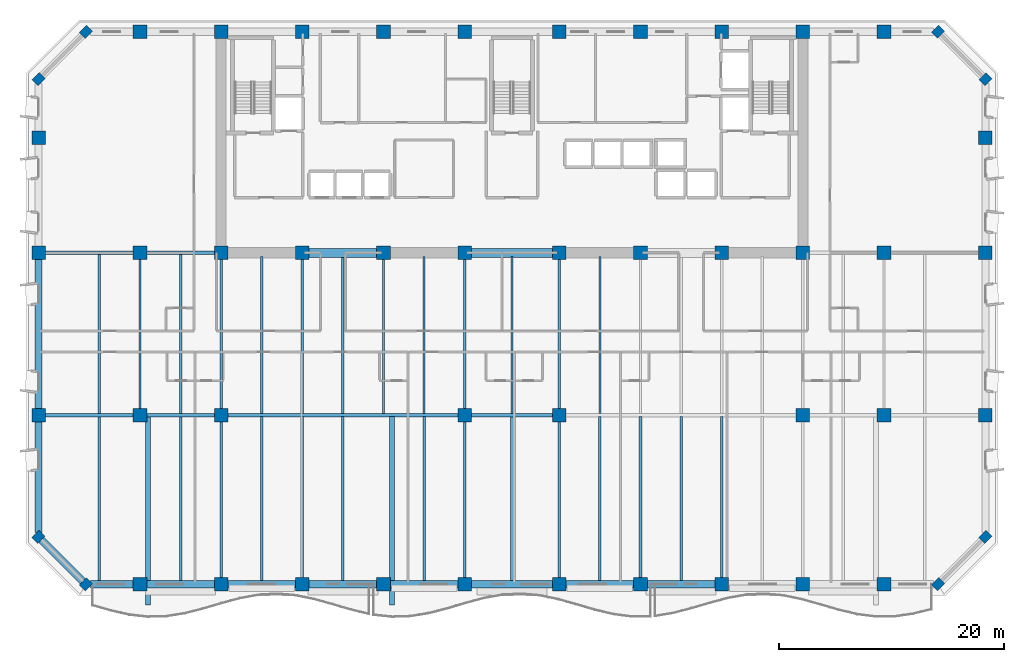
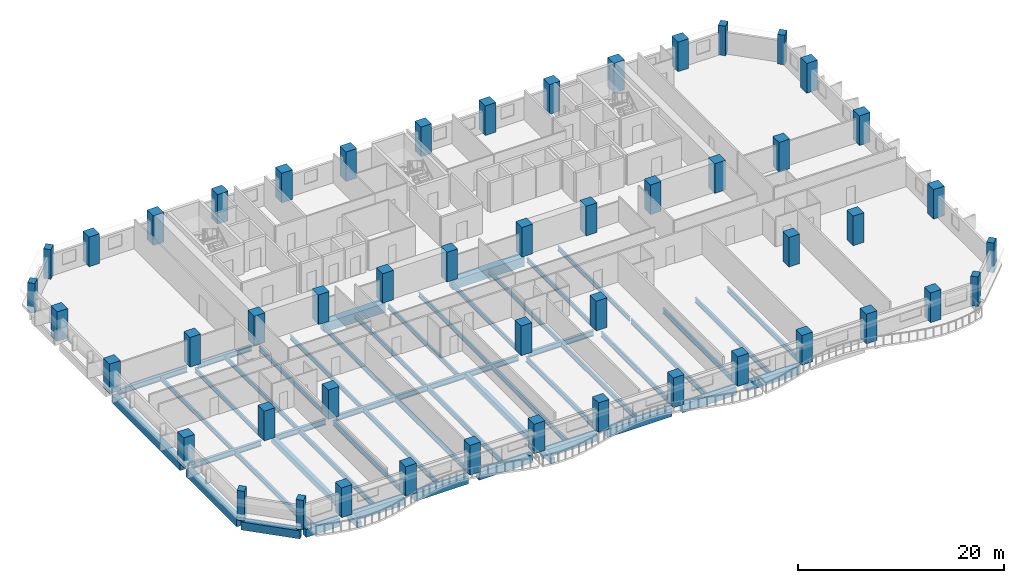
# One storey, part 1 of 14: 50 columns, 48 beams.
"""IFC4 building model written with IfcOpenShell, lengths in metres."""

from ifc_helpers import new_model, si_unit, direction, frame, origin, origin_2d, place, context, subcontext, project, spatial, rectangle, i_section, extrude, material, material_profile, profile_set, type_object, element, save


model = new_model("IFC4")

# Units and contexts
model_context = context("Model", 3, precision=1e-05, world=origin(), true_north=direction((0.0, 1.0)))
body_context = subcontext(model_context, "Body", "Model", "MODEL_VIEW")
ifc_project = project(units=[si_unit("LENGTHUNIT", "METRE"), si_unit("AREAUNIT", "SQUARE_METRE"), si_unit("VOLUMEUNIT", "CUBIC_METRE"), si_unit("PLANEANGLEUNIT", "RADIAN"), si_unit("MASSUNIT", "GRAM", prefix="KILO")], contexts=[model_context])

# Site, building, storey
site_placement = place(None, origin())
site = spatial("IfcSite", under=ifc_project, at=site_placement, CompositionType="ELEMENT")
building_placement = place(site_placement, origin())
building = spatial("IfcBuilding", under=site, at=building_placement, Name="Kaelvorn Grand Hotel", CompositionType="ELEMENT")
storey_placement = place(building_placement, frame((0.0, 0.0, 93.050048828125)))
storey = spatial("IfcBuildingStorey", under=building, at=storey_placement, Name="L21", CompositionType="ELEMENT", Elevation=93.050048828125)

# Columns
ifc_material_1 = material(Name="Concrete C60/75", Category="concrete")
ifc_material_profile_1 = material_profile(ifc_material_1, rectangle(XDim=0.89990234375, YDim=0.75, at=origin_2d()), Name="RC PILASTER 900x750")
ifc_profile_set_1 = profile_set([ifc_material_profile_1], Name="Concrete C60/75")
column_type_1 = type_object("IfcColumnType", Name="COL-PIL-900x750-C60", PredefinedType="PILASTER", material=ifc_profile_set_1)
for number, where, z_axis, x_axis, name in (
    (1, (4.199951171875, 0.0, 0.0), (0.0, 0.0, 1.0), (0.707106781187, 0.707106781187, 0.0), "L21 Structural Column CH-01"),
    (2, (79.800048828125, 0.0, 0.0), (0.0, 0.0, 1.0), (0.707106781187, 0.707106781187, 0.0), "L21 Structural Column CH-02"),
    (3, (84.0, 4.199951171875, 0.0), (0.0, 0.0, 1.0), (0.707106781187, 0.707106781187, 0.0), "L21 Structural Column CH-03"),
    (4, (84.0, 44.800048828125, 0.0), (0.0, 0.0, 1.0), (0.707106781187, 0.707106781187, 0.0), "L21 Structural Column CH-04"),
    (5, (79.800048828125, 49.0, 0.0), (0.0, 0.0, 1.0), (0.707106781187, 0.707106781187, 0.0), "L21 Structural Column CH-05"),
    (6, (4.199951171875, 49.0, 0.0), (0.0, 0.0, 1.0), (0.707106781187, 0.707106781187, 0.0), "L21 Structural Column CH-06"),
    (7, (0.0, 44.800048828125, 0.0), (0.0, 0.0, 1.0), (0.707106781187, 0.707106781187, 0.0), "L21 Structural Column CH-07"),
    (8, (0.0, 4.199951171875, 0.0), (0.0, 0.0, 1.0), (0.707106781187, 0.707106781187, 0.0), "L21 Structural Column CH-08"),
):
    element("IfcColumn", number, at=place(storey_placement, frame(where, z_axis=z_axis, x_axis=x_axis)), inside=storey, type_object=column_type_1, Name=name, PredefinedType="PILASTER", context=body_context, shape_type="SweptSolid", body=[
        extrude(rectangle(XDim=0.89990234375, YDim=0.75, at=origin_2d()), origin(), (0.0, 0.0, 1.0), 3.510009765625),
    ])
ifc_material_profile_2 = material_profile(ifc_material_1, rectangle(XDim=1.199951171875, YDim=1.199951171875, at=origin_2d()), Name="RC COL 1200x1200")
ifc_profile_set_2 = profile_set([ifc_material_profile_2], Name="Concrete C60/75")
column_type_2 = type_object("IfcColumnType", Name="COL-RC-1200-C60", PredefinedType="COLUMN", material=ifc_profile_set_2)
for number, where, z_axis, x_axis, name in (
    (9, (9.0, 0.0, 0.0), (0.0, 0.0, 1.0), (1.0, 0.0, 0.0), "L21 Structural Column S-01"),
    (10, (16.199951171875, 0.0, 0.0), (0.0, 0.0, 1.0), (1.0, 0.0, 0.0), "L21 Structural Column S-02"),
    (11, (23.39990234375, 0.0, 0.0), (0.0, 0.0, 1.0), (1.0, 0.0, 0.0), "L21 Structural Column S-03"),
    (12, (30.60009765625, 0.0, 0.0), (0.0, 0.0, 1.0), (1.0, 0.0, 0.0), "L21 Structural Column S-04"),
    (13, (37.800048828125, 0.0, 0.0), (0.0, 0.0, 1.0), (1.0, 0.0, 0.0), "L21 Structural Column S-05"),
    (14, (46.199951171875, 0.0, 0.0), (0.0, 0.0, 1.0), (1.0, 0.0, 0.0), "L21 Structural Column S-06"),
    (15, (53.39990234375, 0.0, 0.0), (0.0, 0.0, 1.0), (1.0, 0.0, 0.0), "L21 Structural Column S-07"),
    (16, (60.60009765625, 0.0, 0.0), (0.0, 0.0, 1.0), (1.0, 0.0, 0.0), "L21 Structural Column S-08"),
    (17, (67.800048828125, 0.0, 0.0), (0.0, 0.0, 1.0), (1.0, 0.0, 0.0), "L21 Structural Column S-09"),
    (18, (75.0, 0.0, 0.0), (0.0, 0.0, 1.0), (1.0, 0.0, 0.0), "L21 Structural Column S-10"),
    (19, (0.0, 15.0, 0.0), (0.0, 0.0, 1.0), (1.0, 0.0, 0.0), "L21 Structural Column W-01"),
    (20, (84.0, 15.0, 0.0), (0.0, 0.0, 1.0), (1.0, 0.0, 0.0), "L21 Structural Column E-01"),
    (21, (0.0, 29.39990234375, 0.0), (0.0, 0.0, 1.0), (1.0, 0.0, 0.0), "L21 Structural Column W-02"),
    (22, (84.0, 29.39990234375, 0.0), (0.0, 0.0, 1.0), (1.0, 0.0, 0.0), "L21 Structural Column E-02"),
    (23, (0.0, 39.60009765625, 0.0), (0.0, 0.0, 1.0), (1.0, 0.0, 0.0), "L21 Structural Column W-03"),
    (24, (84.0, 39.60009765625, 0.0), (0.0, 0.0, 1.0), (1.0, 0.0, 0.0), "L21 Structural Column E-03"),
    (25, (9.0, 15.0, 0.0), (0.0, 0.0, 1.0), (1.0, 0.0, 0.0), "L21 Structural Column M-01"),
    (26, (16.199951171875, 15.0, 0.0), (0.0, 0.0, 1.0), (1.0, 0.0, 0.0), "L21 Structural Column M-02"),
    (27, (37.800048828125, 15.0, 0.0), (0.0, 0.0, 1.0), (1.0, 0.0, 0.0), "L21 Structural Column M-03"),
    (28, (46.199951171875, 15.0, 0.0), (0.0, 0.0, 1.0), (1.0, 0.0, 0.0), "L21 Structural Column M-04"),
    (29, (67.800048828125, 15.0, 0.0), (0.0, 0.0, 1.0), (1.0, 0.0, 0.0), "L21 Structural Column M-05"),
    (30, (75.0, 15.0, 0.0), (0.0, 0.0, 1.0), (1.0, 0.0, 0.0), "L21 Structural Column M-06"),
    (31, (9.0, 29.39990234375, 0.0), (0.0, 0.0, 1.0), (1.0, 0.0, 0.0), "L21 Structural Column CR1-01"),
    (32, (9.0, 49.0, 0.0), (0.0, 0.0, 1.0), (1.0, 0.0, 0.0), "L21 Structural Column CR2-01"),
    (33, (16.199951171875, 29.39990234375, 0.0), (0.0, 0.0, 1.0), (1.0, 0.0, 0.0), "L21 Structural Column CR1-02"),
    (34, (16.199951171875, 49.0, 0.0), (0.0, 0.0, 1.0), (1.0, 0.0, 0.0), "L21 Structural Column CR2-02"),
    (35, (23.39990234375, 29.39990234375, 0.0), (0.0, 0.0, 1.0), (1.0, 0.0, 0.0), "L21 Structural Column CR1-03"),
    (36, (23.39990234375, 49.0, 0.0), (0.0, 0.0, 1.0), (1.0, 0.0, 0.0), "L21 Structural Column CR2-03"),
    (37, (30.60009765625, 29.39990234375, 0.0), (0.0, 0.0, 1.0), (1.0, 0.0, 0.0), "L21 Structural Column CR1-04"),
    (38, (30.60009765625, 49.0, 0.0), (0.0, 0.0, 1.0), (1.0, 0.0, 0.0), "L21 Structural Column CR2-04"),
    (39, (37.800048828125, 29.39990234375, 0.0), (0.0, 0.0, 1.0), (1.0, 0.0, 0.0), "L21 Structural Column CR1-05"),
    (40, (37.800048828125, 49.0, 0.0), (0.0, 0.0, 1.0), (1.0, 0.0, 0.0), "L21 Structural Column CR2-05"),
    (41, (46.199951171875, 29.39990234375, 0.0), (0.0, 0.0, 1.0), (1.0, 0.0, 0.0), "L21 Structural Column CR1-06"),
    (42, (46.199951171875, 49.0, 0.0), (0.0, 0.0, 1.0), (1.0, 0.0, 0.0), "L21 Structural Column CR2-06"),
    (43, (53.39990234375, 29.39990234375, 0.0), (0.0, 0.0, 1.0), (1.0, 0.0, 0.0), "L21 Structural Column CR1-07"),
    (44, (53.39990234375, 49.0, 0.0), (0.0, 0.0, 1.0), (1.0, 0.0, 0.0), "L21 Structural Column CR2-07"),
    (45, (60.60009765625, 29.39990234375, 0.0), (0.0, 0.0, 1.0), (1.0, 0.0, 0.0), "L21 Structural Column CR1-08"),
    (46, (60.60009765625, 49.0, 0.0), (0.0, 0.0, 1.0), (1.0, 0.0, 0.0), "L21 Structural Column CR2-08"),
    (47, (67.800048828125, 29.39990234375, 0.0), (0.0, 0.0, 1.0), (1.0, 0.0, 0.0), "L21 Structural Column CR1-09"),
    (48, (67.800048828125, 49.0, 0.0), (0.0, 0.0, 1.0), (1.0, 0.0, 0.0), "L21 Structural Column CR2-09"),
    (49, (75.0, 29.39990234375, 0.0), (0.0, 0.0, 1.0), (1.0, 0.0, 0.0), "L21 Structural Column CR1-10"),
    (50, (75.0, 49.0, 0.0), (0.0, 0.0, 1.0), (1.0, 0.0, 0.0), "L21 Structural Column CR2-10"),
):
    element("IfcColumn", number, at=place(storey_placement, frame(where, z_axis=z_axis, x_axis=x_axis)), inside=storey, type_object=column_type_2, Name=name, PredefinedType="COLUMN", context=body_context, shape_type="SweptSolid", body=[
        extrude(rectangle(XDim=1.199951171875, YDim=1.199951171875, at=origin_2d()), origin(), (0.0, 0.0, 1.0), 3.510009765625),
    ])

# Beams
ifc_material_2 = material(Name="Steel S355", Category="steel")
ifc_material_profile_3 = material_profile(ifc_material_2, i_section(OverallWidth=0.300048828125, OverallDepth=0.64990234375, WebThickness=0.01611328125, FlangeThickness=0.031005859375, FilletRadius=0.027099609375, at=origin_2d()), Name="HEB 650")
ifc_profile_set_3 = profile_set([ifc_material_profile_3], Name="Steel S355")
beam_type_1 = type_object("IfcBeamType", Name="BM-G-HEB650-S355", PredefinedType="BEAM", material=ifc_profile_set_3)
beam_1_placement = place(storey_placement, frame((0.5849609375, 15.0, -0.56494140625), z_axis=(1.0, 0.0, 0.0), x_axis=(0.0, 1.0, 0.0)))
element("IfcBeam", 51, at=beam_1_placement, inside=storey, type_object=beam_type_1, Name="L21 Primary Spine Steel Girder G-15 01", PredefinedType="BEAM", context=body_context, shape_type="SweptSolid", body=[
    extrude(i_section(OverallWidth=0.300048828125, OverallDepth=0.64990234375, WebThickness=0.01611328125, FlangeThickness=0.031005859375, FilletRadius=0.027099609375, at=origin_2d()), origin(), (0.0, 0.0, 1.0), 7.830078125),
])
beam_2_placement = place(storey_placement, frame((9.5849609375, 15.0, -0.56494140625), z_axis=(1.0, 0.0, 0.0), x_axis=(0.0, 1.0, 0.0)))
element("IfcBeam", 52, at=beam_2_placement, inside=storey, type_object=beam_type_1, Name="L21 Primary Spine Steel Girder G-15 02", PredefinedType="BEAM", context=body_context, shape_type="SweptSolid", body=[
    extrude(i_section(OverallWidth=0.300048828125, OverallDepth=0.64990234375, WebThickness=0.01611328125, FlangeThickness=0.031005859375, FilletRadius=0.027099609375, at=origin_2d()), origin(), (0.0, 0.0, 1.0), 6.030029296875),
])
beam_3_placement = place(storey_placement, frame((16.784912109375, 15.0, -0.56494140625), z_axis=(1.0, 0.0, 0.0), x_axis=(0.0, 1.0, 0.0)))
element("IfcBeam", 53, at=beam_3_placement, inside=storey, type_object=beam_type_1, Name="L21 Primary Spine Steel Girder G-15 03", PredefinedType="BEAM", context=body_context, shape_type="SweptSolid", body=[
    extrude(i_section(OverallWidth=0.300048828125, OverallDepth=0.64990234375, WebThickness=0.01611328125, FlangeThickness=0.031005859375, FilletRadius=0.027099609375, at=origin_2d()), origin(), (0.0, 0.0, 1.0), 20.43017578125),
])
beam_4_placement = place(storey_placement, frame((38.385009765625, 15.0, -0.56494140625), z_axis=(1.0, 0.0, 0.0), x_axis=(0.0, 1.0, 0.0)))
element("IfcBeam", 54, at=beam_4_placement, inside=storey, type_object=beam_type_1, Name="L21 Primary Spine Steel Girder G-15 04", PredefinedType="BEAM", context=body_context, shape_type="SweptSolid", body=[
    extrude(i_section(OverallWidth=0.300048828125, OverallDepth=0.64990234375, WebThickness=0.01611328125, FlangeThickness=0.031005859375, FilletRadius=0.027099609375, at=origin_2d()), origin(), (0.0, 0.0, 1.0), 7.22998046875),
])
beam_5_placement = place(storey_placement, frame((0.5849609375, 29.39990234375, -0.56494140625), z_axis=(1.0, 0.0, 0.0), x_axis=(0.0, 1.0, 0.0)))
element("IfcBeam", 55, at=beam_5_placement, inside=storey, type_object=beam_type_1, Name="L21 West Core Wing Steel Girder G-29W 01", PredefinedType="BEAM", context=body_context, shape_type="SweptSolid", body=[
    extrude(i_section(OverallWidth=0.300048828125, OverallDepth=0.64990234375, WebThickness=0.01611328125, FlangeThickness=0.031005859375, FilletRadius=0.027099609375, at=origin_2d()), origin(), (0.0, 0.0, 1.0), 7.830078125),
])
beam_6_placement = place(storey_placement, frame((9.5849609375, 29.39990234375, -0.56494140625), z_axis=(1.0, 0.0, 0.0), x_axis=(0.0, 1.0, 0.0)))
element("IfcBeam", 56, at=beam_6_placement, inside=storey, type_object=beam_type_1, Name="L21 West Core Wing Steel Girder G-29W 02", PredefinedType="BEAM", context=body_context, shape_type="SweptSolid", body=[
    extrude(i_section(OverallWidth=0.300048828125, OverallDepth=0.64990234375, WebThickness=0.01611328125, FlangeThickness=0.031005859375, FilletRadius=0.027099609375, at=origin_2d()), origin(), (0.0, 0.0, 1.0), 6.030029296875),
])
ifc_material_profile_4 = material_profile(ifc_material_2, i_section(OverallWidth=0.209228515625, OverallDepth=0.533203125, WebThickness=0.010009765625, FlangeThickness=0.015625, FilletRadius=0.0126953125, at=origin_2d()), Name="UB 533x210x92")
ifc_profile_set_4 = profile_set([ifc_material_profile_4], Name="Steel S355")
beam_type_2 = type_object("IfcBeamType", Name="BM-J-UB533-S355", PredefinedType="JOIST", material=ifc_profile_set_4)
beam_7_placement = place(storey_placement, frame((5.39990234375, 15.135009765625, -0.506591796875), z_axis=(0.0, 1.0, 0.0), x_axis=(-1.0, 0.0, 0.0)))
element("IfcBeam", 57, at=beam_7_placement, inside=storey, type_object=beam_type_2, Name="L21 Composite Floor Joist JM-02", PredefinedType="JOIST", context=body_context, shape_type="SweptSolid", body=[
    extrude(i_section(OverallWidth=0.209228515625, OverallDepth=0.533203125, WebThickness=0.010009765625, FlangeThickness=0.015625, FilletRadius=0.0126953125, at=origin_2d()), origin(), (0.0, 0.0, 1.0), 14.1298828125),
])
beam_8_placement = place(storey_placement, frame((9.0, 15.5849609375, -0.506591796875), z_axis=(0.0, 1.0, 0.0), x_axis=(-1.0, 0.0, 0.0)))
element("IfcBeam", 58, at=beam_8_placement, inside=storey, type_object=beam_type_2, Name="L21 Composite Floor Joist JM-03", PredefinedType="JOIST", context=body_context, shape_type="SweptSolid", body=[
    extrude(i_section(OverallWidth=0.209228515625, OverallDepth=0.533203125, WebThickness=0.010009765625, FlangeThickness=0.015625, FilletRadius=0.0126953125, at=origin_2d()), origin(), (0.0, 0.0, 1.0), 13.22998046875),
])
beam_9_placement = place(storey_placement, frame((12.60009765625, 15.135009765625, -0.506591796875), z_axis=(0.0, 1.0, 0.0), x_axis=(-1.0, 0.0, 0.0)))
element("IfcBeam", 59, at=beam_9_placement, inside=storey, type_object=beam_type_2, Name="L21 Composite Floor Joist JM-04", PredefinedType="JOIST", context=body_context, shape_type="SweptSolid", body=[
    extrude(i_section(OverallWidth=0.209228515625, OverallDepth=0.533203125, WebThickness=0.010009765625, FlangeThickness=0.015625, FilletRadius=0.0126953125, at=origin_2d()), origin(), (0.0, 0.0, 1.0), 14.1298828125),
])
beam_10_placement = place(storey_placement, frame((16.199951171875, 15.5849609375, -0.506591796875), z_axis=(0.0, 1.0, 0.0), x_axis=(-1.0, 0.0, 0.0)))
element("IfcBeam", 60, at=beam_10_placement, inside=storey, type_object=beam_type_2, Name="L21 Composite Floor Joist JM-05", PredefinedType="JOIST", context=body_context, shape_type="SweptSolid", body=[
    extrude(i_section(OverallWidth=0.209228515625, OverallDepth=0.533203125, WebThickness=0.010009765625, FlangeThickness=0.015625, FilletRadius=0.0126953125, at=origin_2d()), origin(), (0.0, 0.0, 1.0), 13.22998046875),
])
beam_11_placement = place(storey_placement, frame((19.800048828125, 15.135009765625, -0.506591796875), z_axis=(0.0, 1.0, 0.0), x_axis=(-1.0, 0.0, 0.0)))
element("IfcBeam", 61, at=beam_11_placement, inside=storey, type_object=beam_type_2, Name="L21 Composite Floor Joist JM-06", PredefinedType="JOIST", context=body_context, shape_type="SweptSolid", body=[
    extrude(i_section(OverallWidth=0.209228515625, OverallDepth=0.533203125, WebThickness=0.010009765625, FlangeThickness=0.015625, FilletRadius=0.0126953125, at=origin_2d()), origin(), (0.0, 0.0, 1.0), 13.925048828125),
])
beam_12_placement = place(storey_placement, frame((23.39990234375, 15.135009765625, -0.506591796875), z_axis=(0.0, 1.0, 0.0), x_axis=(-1.0, 0.0, 0.0)))
element("IfcBeam", 62, at=beam_12_placement, inside=storey, type_object=beam_type_2, Name="L21 Composite Floor Joist JM-07", PredefinedType="JOIST", context=body_context, shape_type="SweptSolid", body=[
    extrude(i_section(OverallWidth=0.209228515625, OverallDepth=0.533203125, WebThickness=0.010009765625, FlangeThickness=0.015625, FilletRadius=0.0126953125, at=origin_2d()), origin(), (0.0, 0.0, 1.0), 13.679931640625),
])
beam_13_placement = place(storey_placement, frame((27.0, 15.135009765625, -0.506591796875), z_axis=(0.0, 1.0, 0.0), x_axis=(-1.0, 0.0, 0.0)))
element("IfcBeam", 63, at=beam_13_placement, inside=storey, type_object=beam_type_2, Name="L21 Composite Floor Joist JM-08", PredefinedType="JOIST", context=body_context, shape_type="SweptSolid", body=[
    extrude(i_section(OverallWidth=0.209228515625, OverallDepth=0.533203125, WebThickness=0.010009765625, FlangeThickness=0.015625, FilletRadius=0.0126953125, at=origin_2d()), origin(), (0.0, 0.0, 1.0), 13.925048828125),
])
beam_14_placement = place(storey_placement, frame((30.60009765625, 15.135009765625, -0.506591796875), z_axis=(0.0, 1.0, 0.0), x_axis=(-1.0, 0.0, 0.0)))
element("IfcBeam", 64, at=beam_14_placement, inside=storey, type_object=beam_type_2, Name="L21 Composite Floor Joist JM-09", PredefinedType="JOIST", context=body_context, shape_type="SweptSolid", body=[
    extrude(i_section(OverallWidth=0.209228515625, OverallDepth=0.533203125, WebThickness=0.010009765625, FlangeThickness=0.015625, FilletRadius=0.0126953125, at=origin_2d()), origin(), (0.0, 0.0, 1.0), 13.679931640625),
])
beam_15_placement = place(storey_placement, frame((34.199951171875, 15.135009765625, -0.506591796875), z_axis=(0.0, 1.0, 0.0), x_axis=(-1.0, 0.0, 0.0)))
element("IfcBeam", 65, at=beam_15_placement, inside=storey, type_object=beam_type_2, Name="L21 Composite Floor Joist JM-10", PredefinedType="JOIST", context=body_context, shape_type="SweptSolid", body=[
    extrude(i_section(OverallWidth=0.209228515625, OverallDepth=0.533203125, WebThickness=0.010009765625, FlangeThickness=0.015625, FilletRadius=0.0126953125, at=origin_2d()), origin(), (0.0, 0.0, 1.0), 13.925048828125),
])
beam_16_placement = place(storey_placement, frame((37.800048828125, 15.5849609375, -0.506591796875), z_axis=(0.0, 1.0, 0.0), x_axis=(-1.0, 0.0, 0.0)))
element("IfcBeam", 66, at=beam_16_placement, inside=storey, type_object=beam_type_2, Name="L21 Composite Floor Joist JM-11", PredefinedType="JOIST", context=body_context, shape_type="SweptSolid", body=[
    extrude(i_section(OverallWidth=0.209228515625, OverallDepth=0.533203125, WebThickness=0.010009765625, FlangeThickness=0.015625, FilletRadius=0.0126953125, at=origin_2d()), origin(), (0.0, 0.0, 1.0), 13.22998046875),
])
beam_17_placement = place(storey_placement, frame((42.0, 15.135009765625, -0.506591796875), z_axis=(0.0, 1.0, 0.0), x_axis=(-1.0, 0.0, 0.0)))
element("IfcBeam", 67, at=beam_17_placement, inside=storey, type_object=beam_type_2, Name="L21 Composite Floor Joist JM-12", PredefinedType="JOIST", context=body_context, shape_type="SweptSolid", body=[
    extrude(i_section(OverallWidth=0.209228515625, OverallDepth=0.533203125, WebThickness=0.010009765625, FlangeThickness=0.015625, FilletRadius=0.0126953125, at=origin_2d()), origin(), (0.0, 0.0, 1.0), 13.925048828125),
])
beam_18_placement = place(storey_placement, frame((46.199951171875, 15.5849609375, -0.506591796875), z_axis=(0.0, 1.0, 0.0), x_axis=(-1.0, 0.0, 0.0)))
element("IfcBeam", 68, at=beam_18_placement, inside=storey, type_object=beam_type_2, Name="L21 Composite Floor Joist JM-13", PredefinedType="JOIST", context=body_context, shape_type="SweptSolid", body=[
    extrude(i_section(OverallWidth=0.209228515625, OverallDepth=0.533203125, WebThickness=0.010009765625, FlangeThickness=0.015625, FilletRadius=0.0126953125, at=origin_2d()), origin(), (0.0, 0.0, 1.0), 13.22998046875),
])
beam_19_placement = place(storey_placement, frame((49.800048828125, 15.135009765625, -0.506591796875), z_axis=(0.0, 1.0, 0.0), x_axis=(-1.0, 0.0, 0.0)))
element("IfcBeam", 69, at=beam_19_placement, inside=storey, type_object=beam_type_2, Name="L21 Composite Floor Joist JM-14", PredefinedType="JOIST", context=body_context, shape_type="SweptSolid", body=[
    extrude(i_section(OverallWidth=0.209228515625, OverallDepth=0.533203125, WebThickness=0.010009765625, FlangeThickness=0.015625, FilletRadius=0.0126953125, at=origin_2d()), origin(), (0.0, 0.0, 1.0), 13.925048828125),
])
ifc_material_profile_5 = material_profile(ifc_material_2, i_section(OverallWidth=0.22900390625, OverallDepth=0.6123046875, WebThickness=0.011962890625, FlangeThickness=0.01953125, FilletRadius=0.0126953125, at=origin_2d()), Name="UB 610x229x125")
ifc_profile_set_5 = profile_set([ifc_material_profile_5], Name="Steel S355")
beam_type_3 = type_object("IfcBeamType", Name="BM-J-UB610-S355", PredefinedType="JOIST", material=ifc_profile_set_5)
for number, where, z_axis, x_axis, name in (
    (70, (5.39990234375, 0.31005859375, -0.546142578125), (0.0, 1.0, 0.0), (-1.0, 0.0, 0.0), "L21 Composite Floor Joist JS-02"),
    (71, (12.60009765625, 0.31005859375, -0.546142578125), (0.0, 1.0, 0.0), (-1.0, 0.0, 0.0), "L21 Composite Floor Joist JS-04"),
):
    element("IfcBeam", number, at=place(storey_placement, frame(where, z_axis=z_axis, x_axis=x_axis)), inside=storey, type_object=beam_type_3, Name=name, PredefinedType="JOIST", context=body_context, shape_type="SweptSolid", body=[
        extrude(i_section(OverallWidth=0.22900390625, OverallDepth=0.6123046875, WebThickness=0.011962890625, FlangeThickness=0.01953125, FilletRadius=0.0126953125, at=origin_2d()), origin(), (0.0, 0.0, 1.0), 14.554931640625),
    ])
beam_20_placement = place(storey_placement, frame((16.199951171875, 0.5849609375, -0.546142578125), z_axis=(0.0, 1.0, 0.0), x_axis=(-1.0, 0.0, 0.0)))
element("IfcBeam", 72, at=beam_20_placement, inside=storey, type_object=beam_type_3, Name="L21 Composite Floor Joist JS-05", PredefinedType="JOIST", context=body_context, shape_type="SweptSolid", body=[
    extrude(i_section(OverallWidth=0.22900390625, OverallDepth=0.6123046875, WebThickness=0.011962890625, FlangeThickness=0.01953125, FilletRadius=0.0126953125, at=origin_2d()), origin(), (0.0, 0.0, 1.0), 13.830078125),
])
beam_21_placement = place(storey_placement, frame((19.800048828125, 0.31005859375, -0.546142578125), z_axis=(0.0, 1.0, 0.0), x_axis=(-1.0, 0.0, 0.0)))
element("IfcBeam", 73, at=beam_21_placement, inside=storey, type_object=beam_type_3, Name="L21 Composite Floor Joist JS-06", PredefinedType="JOIST", context=body_context, shape_type="SweptSolid", body=[
    extrude(i_section(OverallWidth=0.22900390625, OverallDepth=0.6123046875, WebThickness=0.011962890625, FlangeThickness=0.01953125, FilletRadius=0.0126953125, at=origin_2d()), origin(), (0.0, 0.0, 1.0), 14.554931640625),
])
beam_22_placement = place(storey_placement, frame((23.39990234375, 0.5849609375, -0.546142578125), z_axis=(0.0, 1.0, 0.0), x_axis=(-1.0, 0.0, 0.0)))
element("IfcBeam", 74, at=beam_22_placement, inside=storey, type_object=beam_type_3, Name="L21 Composite Floor Joist JS-07", PredefinedType="JOIST", context=body_context, shape_type="SweptSolid", body=[
    extrude(i_section(OverallWidth=0.22900390625, OverallDepth=0.6123046875, WebThickness=0.011962890625, FlangeThickness=0.01953125, FilletRadius=0.0126953125, at=origin_2d()), origin(), (0.0, 0.0, 1.0), 14.280029296875),
])
for number, where, z_axis, x_axis, name in (
    (75, (27.0, 0.31005859375, -0.546142578125), (0.0, 1.0, 0.0), (-1.0, 0.0, 0.0), "L21 Composite Floor Joist JS-08"),
    (76, (34.199951171875, 0.31005859375, -0.546142578125), (0.0, 1.0, 0.0), (-1.0, 0.0, 0.0), "L21 Composite Floor Joist JS-10"),
):
    element("IfcBeam", number, at=place(storey_placement, frame(where, z_axis=z_axis, x_axis=x_axis)), inside=storey, type_object=beam_type_3, Name=name, PredefinedType="JOIST", context=body_context, shape_type="SweptSolid", body=[
        extrude(i_section(OverallWidth=0.22900390625, OverallDepth=0.6123046875, WebThickness=0.011962890625, FlangeThickness=0.01953125, FilletRadius=0.0126953125, at=origin_2d()), origin(), (0.0, 0.0, 1.0), 14.554931640625),
    ])
beam_23_placement = place(storey_placement, frame((37.800048828125, 0.5849609375, -0.546142578125), z_axis=(0.0, 1.0, 0.0), x_axis=(-1.0, 0.0, 0.0)))
element("IfcBeam", 77, at=beam_23_placement, inside=storey, type_object=beam_type_3, Name="L21 Composite Floor Joist JS-11", PredefinedType="JOIST", context=body_context, shape_type="SweptSolid", body=[
    extrude(i_section(OverallWidth=0.22900390625, OverallDepth=0.6123046875, WebThickness=0.011962890625, FlangeThickness=0.01953125, FilletRadius=0.0126953125, at=origin_2d()), origin(), (0.0, 0.0, 1.0), 13.830078125),
])
beam_24_placement = place(storey_placement, frame((42.0, 0.31005859375, -0.546142578125), z_axis=(0.0, 1.0, 0.0), x_axis=(-1.0, 0.0, 0.0)))
element("IfcBeam", 78, at=beam_24_placement, inside=storey, type_object=beam_type_3, Name="L21 Composite Floor Joist JS-12", PredefinedType="JOIST", context=body_context, shape_type="SweptSolid", body=[
    extrude(i_section(OverallWidth=0.22900390625, OverallDepth=0.6123046875, WebThickness=0.011962890625, FlangeThickness=0.01953125, FilletRadius=0.0126953125, at=origin_2d()), origin(), (0.0, 0.0, 1.0), 14.554931640625),
])
beam_25_placement = place(storey_placement, frame((46.199951171875, 0.5849609375, -0.546142578125), z_axis=(0.0, 1.0, 0.0), x_axis=(-1.0, 0.0, 0.0)))
element("IfcBeam", 79, at=beam_25_placement, inside=storey, type_object=beam_type_3, Name="L21 Composite Floor Joist JS-13", PredefinedType="JOIST", context=body_context, shape_type="SweptSolid", body=[
    extrude(i_section(OverallWidth=0.22900390625, OverallDepth=0.6123046875, WebThickness=0.011962890625, FlangeThickness=0.01953125, FilletRadius=0.0126953125, at=origin_2d()), origin(), (0.0, 0.0, 1.0), 13.830078125),
])
beam_26_placement = place(storey_placement, frame((49.800048828125, 0.31005859375, -0.546142578125), z_axis=(0.0, 1.0, 0.0), x_axis=(-1.0, 0.0, 0.0)))
element("IfcBeam", 80, at=beam_26_placement, inside=storey, type_object=beam_type_3, Name="L21 Composite Floor Joist JS-14", PredefinedType="JOIST", context=body_context, shape_type="SweptSolid", body=[
    extrude(i_section(OverallWidth=0.22900390625, OverallDepth=0.6123046875, WebThickness=0.011962890625, FlangeThickness=0.01953125, FilletRadius=0.0126953125, at=origin_2d()), origin(), (0.0, 0.0, 1.0), 14.554931640625),
])
beam_27_placement = place(storey_placement, frame((53.39990234375, 0.5849609375, -0.546142578125), z_axis=(0.0, 1.0, 0.0), x_axis=(-1.0, 0.0, 0.0)))
element("IfcBeam", 81, at=beam_27_placement, inside=storey, type_object=beam_type_3, Name="L21 Composite Floor Joist JS-15", PredefinedType="JOIST", context=body_context, shape_type="SweptSolid", body=[
    extrude(i_section(OverallWidth=0.22900390625, OverallDepth=0.6123046875, WebThickness=0.011962890625, FlangeThickness=0.01953125, FilletRadius=0.0126953125, at=origin_2d()), origin(), (0.0, 0.0, 1.0), 14.280029296875),
])
beam_28_placement = place(storey_placement, frame((57.0, 0.31005859375, -0.546142578125), z_axis=(0.0, 1.0, 0.0), x_axis=(-1.0, 0.0, 0.0)))
element("IfcBeam", 82, at=beam_28_placement, inside=storey, type_object=beam_type_3, Name="L21 Composite Floor Joist JS-16", PredefinedType="JOIST", context=body_context, shape_type="SweptSolid", body=[
    extrude(i_section(OverallWidth=0.22900390625, OverallDepth=0.6123046875, WebThickness=0.011962890625, FlangeThickness=0.01953125, FilletRadius=0.0126953125, at=origin_2d()), origin(), (0.0, 0.0, 1.0), 14.554931640625),
])
beam_29_placement = place(storey_placement, frame((60.60009765625, 0.5849609375, -0.546142578125), z_axis=(0.0, 1.0, 0.0), x_axis=(-1.0, 0.0, 0.0)))
element("IfcBeam", 83, at=beam_29_placement, inside=storey, type_object=beam_type_3, Name="L21 Composite Floor Joist JS-17", PredefinedType="JOIST", context=body_context, shape_type="SweptSolid", body=[
    extrude(i_section(OverallWidth=0.22900390625, OverallDepth=0.6123046875, WebThickness=0.011962890625, FlangeThickness=0.01953125, FilletRadius=0.0126953125, at=origin_2d()), origin(), (0.0, 0.0, 1.0), 14.280029296875),
])
ifc_material_profile_6 = material_profile(ifc_material_1, rectangle(XDim=0.800048828125, YDim=1.10009765625, at=origin_2d()), Name="RC LINTEL 800x1100")
ifc_profile_set_6 = profile_set([ifc_material_profile_6], Name="Concrete C60/75")
beam_type_4 = type_object("IfcBeamType", Name="BM-LIN-800x1100-C60", PredefinedType="LINTEL", material=ifc_profile_set_6)
beam_30_placement = place(storey_placement, frame((23.580078125, 29.39990234375, -0.7900390625), z_axis=(1.0, 0.0, 0.0), x_axis=(0.0, 1.0, 0.0)))
element("IfcBeam", 84, at=beam_30_placement, inside=storey, type_object=beam_type_4, Name="L21 Rear-Core Coupling Lintel Beam CB1-01", PredefinedType="LINTEL", context=body_context, shape_type="SweptSolid", body=[
    extrude(rectangle(XDim=0.800048828125, YDim=1.10009765625, at=origin_2d()), origin(), (0.0, 0.0, 1.0), 6.83984375),
])
beam_31_placement = place(storey_placement, frame((37.97998046875, 29.39990234375, -0.7900390625), z_axis=(1.0, 0.0, 0.0), x_axis=(0.0, 1.0, 0.0)))
element("IfcBeam", 85, at=beam_31_placement, inside=storey, type_object=beam_type_4, Name="L21 Rear-Core Coupling Lintel Beam CB1-02", PredefinedType="LINTEL", context=body_context, shape_type="SweptSolid", body=[
    extrude(rectangle(XDim=0.800048828125, YDim=1.10009765625, at=origin_2d()), origin(), (0.0, 0.0, 1.0), 8.0400390625),
])
ifc_material_3 = material(Name="Concrete C40/50", Category="concrete")
ifc_material_profile_7 = material_profile(ifc_material_3, rectangle(XDim=0.449951171875, YDim=0.64990234375, at=origin_2d()), Name="RC RIB 450x650")
ifc_profile_set_7 = profile_set([ifc_material_profile_7], Name="Concrete C40/50")
beam_type_5 = type_object("IfcBeamType", Name="BM-RIB-450x650-C40", PredefinedType="SPANDREL", material=ifc_profile_set_7)
for number, where, z_axis, x_axis, name in (
    (86, (9.706787109375, -1.85009765625, -0.545166015625), (0.0, 1.0, 0.0), (-1.0, 0.0, 0.0), "L21 Cantilevered Balcony Back-Span Rib RB1-1"),
    (87, (31.368896484375, -1.85009765625, -0.545166015625), (0.0, 1.0, 0.0), (-1.0, 0.0, 0.0), "L21 Cantilevered Balcony Back-Span Rib RB1-2"),
):
    element("IfcBeam", number, at=place(storey_placement, frame(where, z_axis=z_axis, x_axis=x_axis)), inside=storey, type_object=beam_type_5, Name=name, PredefinedType="SPANDREL", context=body_context, shape_type="SweptSolid", body=[
        extrude(rectangle(XDim=0.449951171875, YDim=0.64990234375, at=origin_2d()), origin(), (0.0, 0.0, 1.0), 16.715087890625),
    ])
ifc_material_profile_8 = material_profile(ifc_material_1, rectangle(XDim=0.64990234375, YDim=0.949951171875, at=origin_2d()), Name="RC SPANDREL 650x950")
ifc_profile_set_8 = profile_set([ifc_material_profile_8], Name="Concrete C60/75")
beam_type_6 = type_object("IfcBeamType", Name="BM-SP-650x950-C60", PredefinedType="SPANDREL", material=ifc_profile_set_8)
beam_32_placement = place(storey_placement, frame((4.60498046875, 0.0, -0.715087890625), z_axis=(1.0, 0.0, 0.0), x_axis=(0.0, 1.0, 0.0)))
element("IfcBeam", 88, at=beam_32_placement, inside=storey, type_object=beam_type_6, Name="L21 South Perimeter Spandrel 01", PredefinedType="SPANDREL", context=body_context, shape_type="SweptSolid", body=[
    extrude(rectangle(XDim=0.64990234375, YDim=0.949951171875, at=origin_2d()), origin(), (0.0, 0.0, 1.0), 3.81005859375),
])
for number, where, z_axis, x_axis, name in (
    (89, (9.5849609375, 0.0, -0.715087890625), (1.0, 0.0, 0.0), (0.0, 1.0, 0.0), "L21 South Perimeter Spandrel 02"),
    (90, (16.784912109375, 0.0, -0.715087890625), (1.0, 0.0, 0.0), (0.0, 1.0, 0.0), "L21 South Perimeter Spandrel 03"),
):
    element("IfcBeam", number, at=place(storey_placement, frame(where, z_axis=z_axis, x_axis=x_axis)), inside=storey, type_object=beam_type_6, Name=name, PredefinedType="SPANDREL", context=body_context, shape_type="SweptSolid", body=[
        extrude(rectangle(XDim=0.64990234375, YDim=0.949951171875, at=origin_2d()), origin(), (0.0, 0.0, 1.0), 6.030029296875),
    ])
beam_33_placement = place(storey_placement, frame((23.985107421875, 0.0, -0.715087890625), z_axis=(1.0, 0.0, 0.0), x_axis=(0.0, 1.0, 0.0)))
element("IfcBeam", 91, at=beam_33_placement, inside=storey, type_object=beam_type_6, Name="L21 South Perimeter Spandrel 04", PredefinedType="SPANDREL", context=body_context, shape_type="SweptSolid", body=[
    extrude(rectangle(XDim=0.64990234375, YDim=0.949951171875, at=origin_2d()), origin(), (0.0, 0.0, 1.0), 6.02978515625),
])
beam_34_placement = place(storey_placement, frame((31.18505859375, 0.0, -0.715087890625), z_axis=(1.0, 0.0, 0.0), x_axis=(0.0, 1.0, 0.0)))
element("IfcBeam", 92, at=beam_34_placement, inside=storey, type_object=beam_type_6, Name="L21 South Perimeter Spandrel 05", PredefinedType="SPANDREL", context=body_context, shape_type="SweptSolid", body=[
    extrude(rectangle(XDim=0.64990234375, YDim=0.949951171875, at=origin_2d()), origin(), (0.0, 0.0, 1.0), 6.030029296875),
])
beam_35_placement = place(storey_placement, frame((38.385009765625, 0.0, -0.715087890625), z_axis=(1.0, 0.0, 0.0), x_axis=(0.0, 1.0, 0.0)))
element("IfcBeam", 93, at=beam_35_placement, inside=storey, type_object=beam_type_6, Name="L21 South Perimeter Spandrel 06", PredefinedType="SPANDREL", context=body_context, shape_type="SweptSolid", body=[
    extrude(rectangle(XDim=0.64990234375, YDim=0.949951171875, at=origin_2d()), origin(), (0.0, 0.0, 1.0), 7.22998046875),
])
beam_36_placement = place(storey_placement, frame((46.784912109375, 0.0, -0.715087890625), z_axis=(1.0, 0.0, 0.0), x_axis=(0.0, 1.0, 0.0)))
element("IfcBeam", 94, at=beam_36_placement, inside=storey, type_object=beam_type_6, Name="L21 South Perimeter Spandrel 07", PredefinedType="SPANDREL", context=body_context, shape_type="SweptSolid", body=[
    extrude(rectangle(XDim=0.64990234375, YDim=0.949951171875, at=origin_2d()), origin(), (0.0, 0.0, 1.0), 6.030029296875),
])
beam_37_placement = place(storey_placement, frame((53.985107421875, 0.0, -0.715087890625), z_axis=(1.0, 0.0, 0.0), x_axis=(0.0, 1.0, 0.0)))
element("IfcBeam", 95, at=beam_37_placement, inside=storey, type_object=beam_type_6, Name="L21 South Perimeter Spandrel 08", PredefinedType="SPANDREL", context=body_context, shape_type="SweptSolid", body=[
    extrude(rectangle(XDim=0.64990234375, YDim=0.949951171875, at=origin_2d()), origin(), (0.0, 0.0, 1.0), 6.02978515625),
])
beam_38_placement = place(storey_placement, frame((0.0, 4.60498046875, -0.715087890625), z_axis=(0.0, 1.0, 0.0), x_axis=(-1.0, 0.0, 0.0)))
element("IfcBeam", 96, at=beam_38_placement, inside=storey, type_object=beam_type_6, Name="L21 West Perimeter Spandrel 01", PredefinedType="SPANDREL", context=body_context, shape_type="SweptSolid", body=[
    extrude(rectangle(XDim=0.64990234375, YDim=0.949951171875, at=origin_2d()), origin(), (0.0, 0.0, 1.0), 9.81005859375),
])
beam_39_placement = place(storey_placement, frame((0.0, 15.5849609375, -0.715087890625), z_axis=(0.0, 1.0, 0.0), x_axis=(-1.0, 0.0, 0.0)))
element("IfcBeam", 97, at=beam_39_placement, inside=storey, type_object=beam_type_6, Name="L21 West Perimeter Spandrel 02", PredefinedType="SPANDREL", context=body_context, shape_type="SweptSolid", body=[
    extrude(rectangle(XDim=0.64990234375, YDim=0.949951171875, at=origin_2d()), origin(), (0.0, 0.0, 1.0), 13.22998046875),
])
beam_40_placement = place(storey_placement, frame((0.0, 4.199951171875, -0.715087890625), z_axis=(0.707106781187, -0.707106781187, 0.0), x_axis=(0.707106781187, 0.707106781187, 0.0)))
element("IfcBeam", 98, at=beam_40_placement, inside=storey, type_object=beam_type_6, Name="L21 Chamfer Spandrel Beam 4", PredefinedType="SPANDREL", context=body_context, shape_type="SweptSolid", body=[
    extrude(rectangle(XDim=0.64990234375, YDim=0.949951171875, at=origin_2d()), origin(), (0.0, 0.0, 1.0), 5.939697265625),
])

save(model, "model.ifc")
